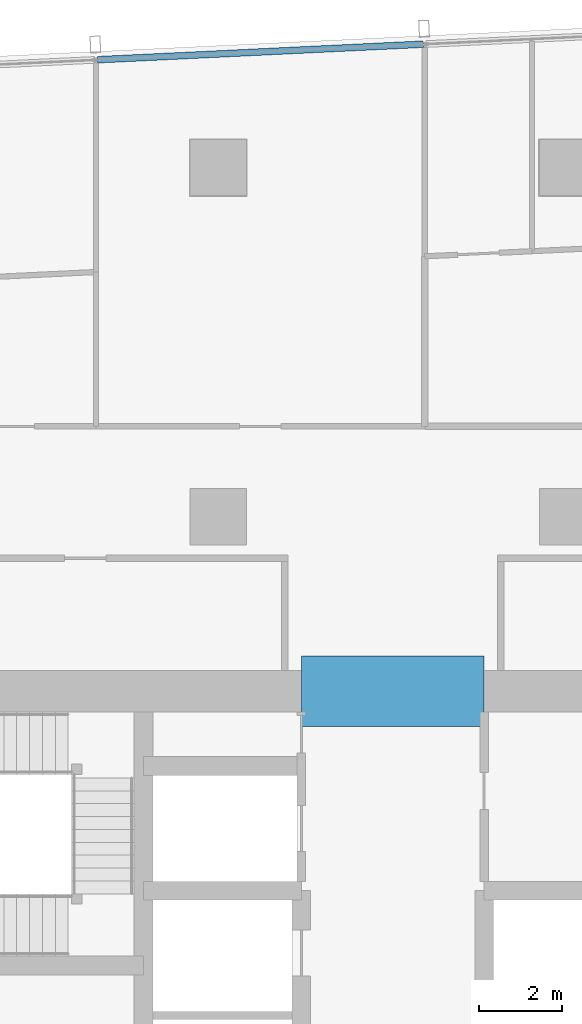
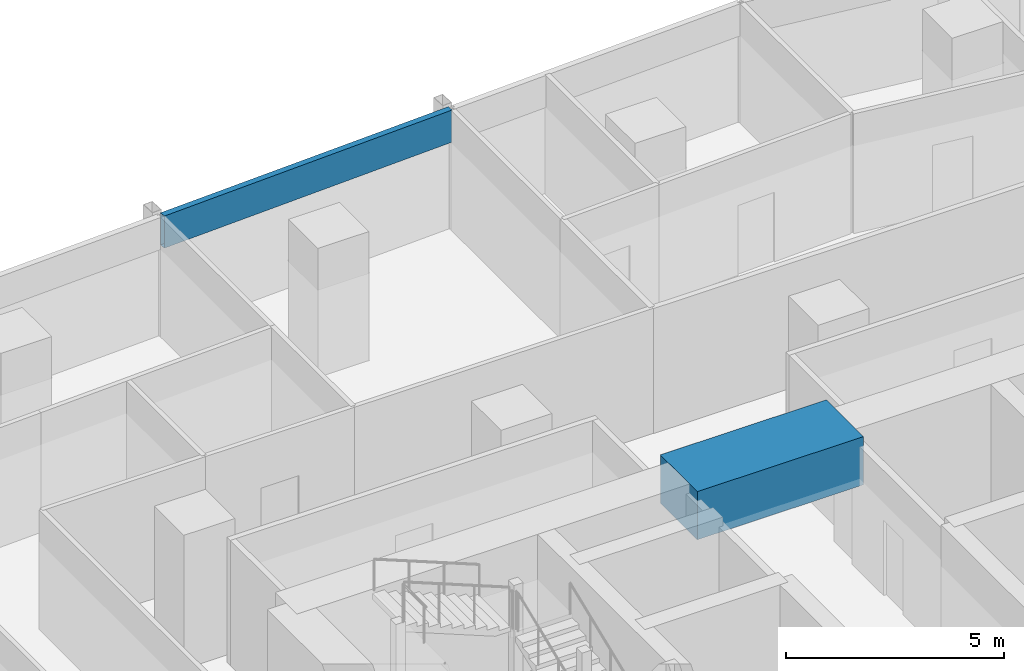
# One storey, part 20 of 38: 1 beam, 1 member, 1 element without a shape of its own.
"""IFC4 building model written with IfcOpenShell, lengths in metres."""

from ifc_helpers import new_model, si_unit, direction, frame, origin, origin_2d, place, context, subcontext, project, spatial, rectangle, hollow_rectangle, extrude, material, material_profile, profile_set, type_object, element, aggregate, save


model = new_model("IFC4")

# Units and contexts
model_context = context("Model", 3, precision=1e-05, world=origin(), true_north=direction((0.0, 1.0)))
body_context = subcontext(model_context, "Body", "Model", "MODEL_VIEW")
ifc_project = project(units=[si_unit("LENGTHUNIT", "METRE"), si_unit("AREAUNIT", "SQUARE_METRE"), si_unit("VOLUMEUNIT", "CUBIC_METRE"), si_unit("PLANEANGLEUNIT", "RADIAN"), si_unit("MASSUNIT", "GRAM", prefix="KILO")], contexts=[model_context])

# Site, building, storey
site_placement = place(None, origin())
site = spatial("IfcSite", under=ifc_project, at=site_placement, CompositionType="ELEMENT")
building_placement = place(site_placement, origin())
building = spatial("IfcBuilding", under=site, at=building_placement, Name="Rekha Terrace Tower", CompositionType="ELEMENT")
storey_placement = place(building_placement, frame((0.0, 0.0, 195.199951171875)))
storey = spatial("IfcBuildingStorey", under=building, at=storey_placement, Name="L49", CompositionType="ELEMENT", Elevation=195.199951171875)

# Curtain wall, member
ifc_material_1 = material(Name="Aluminium framing", Category="aluminium")
curtain_wall_type = type_object("IfcCurtainWallType", Name="CW3 north unitised glazing", PredefinedType="USERDEFINED", material=ifc_material_1)
curtain_wall_placement = place(storey_placement, origin())
curtain_wall = element("IfcCurtainWall", 1, at=curtain_wall_placement, inside=storey, type_object=curtain_wall_type, Name="CW3 unitised curtain wall", ObjectType="UNITISED CURTAIN WALL", PredefinedType="USERDEFINED")
ifc_material_2 = material(Name="Insulated aluminium spandrel box", Category="aluminium")
ifc_material_profile_1 = material_profile(ifc_material_2, hollow_rectangle(XDim=0.159912109375, YDim=0.89990234375, WallThickness=0.0029296875, at=origin_2d()), Name="AL SPANDREL BOX 160x900")
ifc_profile_set_1 = profile_set([ifc_material_profile_1], Name="Insulated aluminium spandrel box")
member_type = type_object("IfcMemberType", Name="CW3 spandrel transom 160 x 900", PredefinedType="USERDEFINED", material=ifc_profile_set_1)
member_placement = place(storey_placement, frame((38.53515625, 61.76953125, 3.050048828125), z_axis=(-0.998859252362, -0.047751376635, 0.0), x_axis=(0.047751376635, -0.998859252362, 0.0)))
member = element("IfcMember", 2, at=member_placement, type_object=member_type, Name="CW3 spandrel transom 2", ObjectType="TRANSOM", PredefinedType="USERDEFINED", context=body_context, shape_type="SweptSolid", body=[
    extrude(hollow_rectangle(XDim=0.159912109375, YDim=0.89990234375, WallThickness=0.0029296875, at=origin_2d()), origin(), (0.0, 0.0, 1.0), 7.84814453125),
])
aggregate(curtain_wall, [member])

# Beam
ifc_material_3 = material(Name="Concrete M60", Category="concrete")
ifc_material_profile_2 = material_profile(ifc_material_3, rectangle(XDim=1.699951171875, YDim=1.35009765625, at=origin_2d()), Name="RC 1700x1350")
ifc_profile_set_2 = profile_set([ifc_material_profile_2], Name="Concrete M60")
beam_type = type_object("IfcBeamType", Name="LB3A 1700x1350 diagonally reinforced coupling beam", PredefinedType="LINTEL", material=ifc_profile_set_2)
beam_placement = place(storey_placement, frame((35.60009765625, 46.199951171875, 3.074951171875), z_axis=(1.0, 0.0, 0.0), x_axis=(0.0, 1.0, 0.0)))
element("IfcBeam", 3, at=beam_placement, inside=storey, type_object=beam_type, Name="Coupling beam LB3A N L49", PredefinedType="LINTEL", context=body_context, shape_type="SweptSolid", body=[
    extrude(rectangle(XDim=1.699951171875, YDim=1.35009765625, at=origin_2d()), origin(), (0.0, 0.0, 1.0), 4.39990234375),
])

save(model, "model.ifc")
